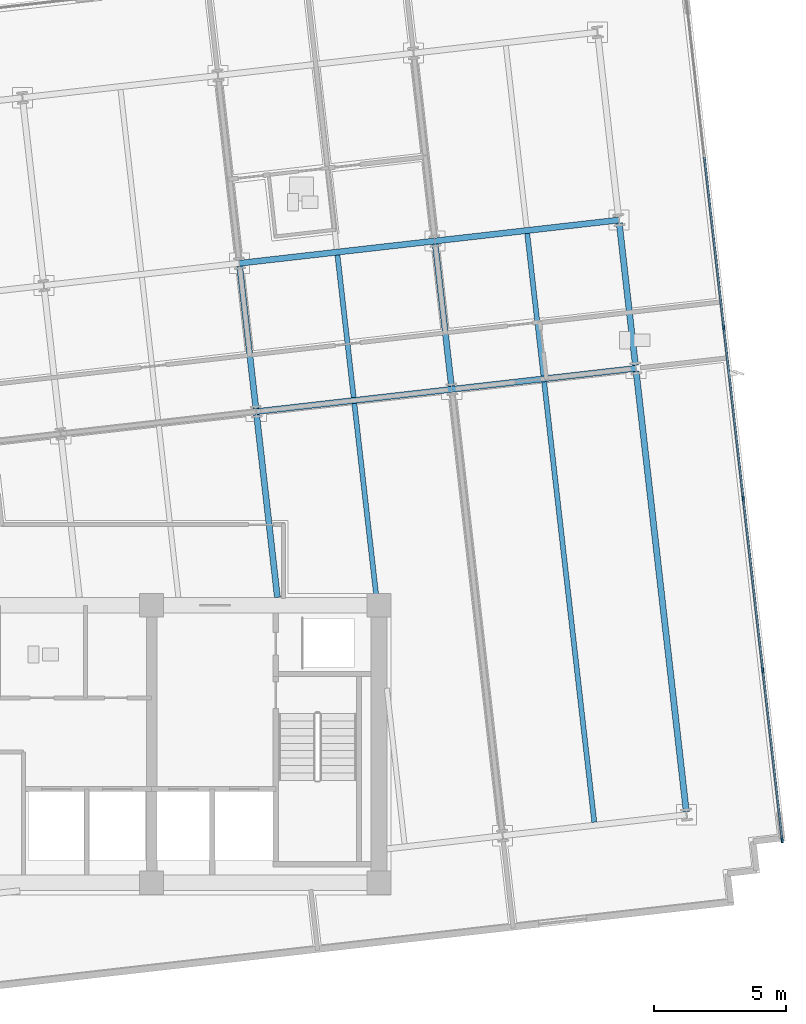
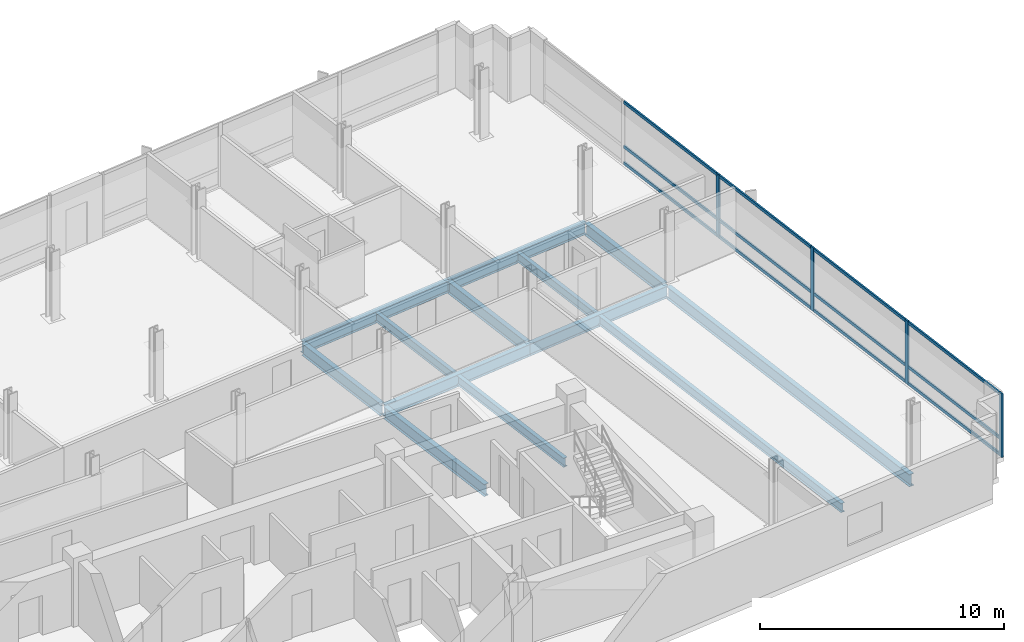
# One storey, part 4 of 15: 16 members, 13 beams, 1 element without a shape of its own.
"""IFC4 building model written with IfcOpenShell, lengths in metres."""

from ifc_helpers import new_model, si_unit, direction, frame, origin, origin_2d, place, context, subcontext, project, spatial, rectangle, i_section, extrude, material, material_profile, profile_set, type_object, element, aggregate, save


model = new_model("IFC4")

# Units and contexts
model_context = context("Model", 3, precision=1e-05, world=origin(), true_north=direction((0.0, 1.0)))
body_context = subcontext(model_context, "Body", "Model", "MODEL_VIEW")
ifc_project = project(units=[si_unit("LENGTHUNIT", "METRE"), si_unit("AREAUNIT", "SQUARE_METRE"), si_unit("VOLUMEUNIT", "CUBIC_METRE"), si_unit("PLANEANGLEUNIT", "RADIAN"), si_unit("MASSUNIT", "GRAM", prefix="KILO")], contexts=[model_context])

# Site, building, storey
site_placement = place(None, origin())
site = spatial("IfcSite", under=ifc_project, at=site_placement, CompositionType="ELEMENT")
building_placement = place(site_placement, origin())
building = spatial("IfcBuilding", under=site, at=building_placement, Name="Solmavex Isthmus Hotel", CompositionType="ELEMENT")
storey_placement = place(building_placement, frame((0.0, 0.0, 229.64990234375)))
storey = spatial("IfcBuildingStorey", under=building, at=storey_placement, Name="L62", CompositionType="ELEMENT", Elevation=229.64990234375)

# Beams
ifc_material_1 = material(Name="Steel ASTM A992 Grade 50", Category="steel")
ifc_material_profile_1 = material_profile(ifc_material_1, i_section(OverallWidth=0.1904296875, OverallDepth=0.456787109375, WebThickness=0.009033203125, FlangeThickness=0.014404296875, FilletRadius=0.0126953125, at=origin_2d()), Name="W18X50")
ifc_profile_set_1 = profile_set([ifc_material_profile_1], Name="Steel ASTM A992 Grade 50")
beam_type_1 = type_object("IfcBeamType", Name="BM-BJ-W18X50", PredefinedType="JOIST", material=ifc_profile_set_1)
beam_1_placement = place(storey_placement, frame((15.908447265625, -2.199951171875, -0.48828125), z_axis=(-0.113224925382, 0.99356938171, 0.0), x_axis=(-0.99356938171, -0.113224925382, 0.0)))
element("IfcBeam", 1, at=beam_1_placement, inside=storey, type_object=beam_type_1, Name="Secondary Floor Joist L62-J16", PredefinedType="JOIST", context=body_context, shape_type="SweptSolid", body=[
    extrude(i_section(OverallWidth=0.1904296875, OverallDepth=0.456787109375, WebThickness=0.009033203125, FlangeThickness=0.014404296875, FilletRadius=0.0126953125, at=origin_2d()), origin(), (0.0, 0.0, 1.0), 7.38525390625),
])
beam_2_placement = place(storey_placement, frame((15.046630859375, 5.364013671875, -0.48828125), z_axis=(-0.113189626161, 0.993573403695, 0.0), x_axis=(-0.993573403695, -0.113189626161, 0.0)))
element("IfcBeam", 2, at=beam_2_placement, inside=storey, type_object=beam_type_1, Name="Secondary Floor Joist L62-J17", PredefinedType="JOIST", context=body_context, shape_type="SweptSolid", body=[
    extrude(i_section(OverallWidth=0.1904296875, OverallDepth=0.456787109375, WebThickness=0.009033203125, FlangeThickness=0.014404296875, FilletRadius=0.0126953125, at=origin_2d()), origin(), (0.0, 0.0, 1.0), 5.42041015625),
])
beam_3_placement = place(storey_placement, frame((24.1513671875, -10.707275390625, -0.48828125), z_axis=(-0.113198426291, 0.993572401129, 0.0), x_axis=(-0.993572401129, -0.113198426291, 0.0)))
element("IfcBeam", 3, at=beam_3_placement, inside=storey, type_object=beam_type_1, Name="Secondary Floor Joist L62-J19", PredefinedType="JOIST", context=body_context, shape_type="SweptSolid", body=[
    extrude(i_section(OverallWidth=0.1904296875, OverallDepth=0.456787109375, WebThickness=0.009033203125, FlangeThickness=0.014404296875, FilletRadius=0.0126953125, at=origin_2d()), origin(), (0.0, 0.0, 1.0), 16.77099609375),
])
beam_4_placement = place(storey_placement, frame((22.22705078125, 6.18212890625, -0.48828125), z_axis=(-0.113189626161, 0.993573403695, 0.0), x_axis=(-0.993573403695, -0.113189626161, 0.0)))
element("IfcBeam", 4, at=beam_4_placement, inside=storey, type_object=beam_type_1, Name="Secondary Floor Joist L62-J20", PredefinedType="JOIST", context=body_context, shape_type="SweptSolid", body=[
    extrude(i_section(OverallWidth=0.1904296875, OverallDepth=0.456787109375, WebThickness=0.009033203125, FlangeThickness=0.014404296875, FilletRadius=0.0126953125, at=origin_2d()), origin(), (0.0, 0.0, 1.0), 5.42041015625),
])
ifc_material_profile_2 = material_profile(ifc_material_1, i_section(OverallWidth=0.227783203125, OverallDepth=0.602783203125, WebThickness=0.010498046875, FlangeThickness=0.014892578125, FilletRadius=0.01513671875, at=origin_2d()), Name="W24X68")
ifc_profile_set_2 = profile_set([ifc_material_profile_2], Name="Steel ASTM A992 Grade 50")
beam_type_2 = type_object("IfcBeamType", Name="BM-BM-W24X68", PredefinedType="BEAM", material=ifc_profile_set_2)
beam_5_placement = place(storey_placement, frame((11.3603515625, 4.829345703125, -0.561279296875), z_axis=(0.9935703463, 0.113216460607, 0.0), x_axis=(-0.113216460607, 0.9935703463, 0.0)))
element("IfcBeam", 5, at=beam_5_placement, inside=storey, type_object=beam_type_2, Name="Floor Girder L62-UG10", PredefinedType="BEAM", context=body_context, shape_type="SweptSolid", body=[
    extrude(i_section(OverallWidth=0.227783203125, OverallDepth=0.602783203125, WebThickness=0.010498046875, FlangeThickness=0.014892578125, FilletRadius=0.01513671875, at=origin_2d()), origin(), (0.0, 0.0, 1.0), 7.446044921875),
])
beam_6_placement = place(storey_placement, frame((18.758544921875, 5.67236328125, -0.561279296875), z_axis=(0.99357359356, 0.113187959519, 0.0), x_axis=(-0.113187959519, 0.99357359356, 0.0)))
element("IfcBeam", 6, at=beam_6_placement, inside=storey, type_object=beam_type_2, Name="Floor Girder L62-UG11", PredefinedType="BEAM", context=body_context, shape_type="SweptSolid", body=[
    extrude(i_section(OverallWidth=0.227783203125, OverallDepth=0.602783203125, WebThickness=0.010498046875, FlangeThickness=0.014892578125, FilletRadius=0.01513671875, at=origin_2d()), origin(), (0.0, 0.0, 1.0), 7.0078125),
])
beam_7_placement = place(storey_placement, frame((10.720947265625, 10.441162109375, -0.561279296875), z_axis=(0.993574034044, 0.113184092846, 0.0), x_axis=(-0.113184092846, 0.993574034044, 0.0)))
element("IfcBeam", 7, at=beam_7_placement, inside=storey, type_object=beam_type_2, Name="Floor Girder L62-UG16", PredefinedType="BEAM", context=body_context, shape_type="SweptSolid", body=[
    extrude(i_section(OverallWidth=0.227783203125, OverallDepth=0.602783203125, WebThickness=0.010498046875, FlangeThickness=0.014892578125, FilletRadius=0.01513671875, at=origin_2d()), origin(), (0.0, 0.0, 1.0), 7.446044921875),
])
beam_8_placement = place(storey_placement, frame((18.119140625, 11.283935546875, -0.561279296875), z_axis=(0.993569675103, 0.113222350774, 0.0), x_axis=(-0.113222350774, 0.993569675103, 0.0)))
element("IfcBeam", 8, at=beam_8_placement, inside=storey, type_object=beam_type_2, Name="Floor Girder L62-UG17", PredefinedType="BEAM", context=body_context, shape_type="SweptSolid", body=[
    extrude(i_section(OverallWidth=0.227783203125, OverallDepth=0.602783203125, WebThickness=0.010498046875, FlangeThickness=0.014892578125, FilletRadius=0.01513671875, at=origin_2d()), origin(), (0.0, 0.0, 1.0), 7.008056640625),
])
beam_9_placement = place(storey_placement, frame((12.161376953125, -2.199951171875, -0.561279296875), z_axis=(-0.113214229187, 0.993570600566, 0.0), x_axis=(-0.993570600566, -0.113214229187, 0.0)))
element("IfcBeam", 9, at=beam_9_placement, inside=storey, type_object=beam_type_2, Name="Floor Beam L62-VG37", PredefinedType="BEAM", context=body_context, shape_type="SweptSolid", body=[
    extrude(i_section(OverallWidth=0.227783203125, OverallDepth=0.602783203125, WebThickness=0.010498046875, FlangeThickness=0.014892578125, FilletRadius=0.01513671875, at=origin_2d()), origin(), (0.0, 0.0, 1.0), 6.9609375),
])
beam_10_placement = place(storey_placement, frame((11.347412109375, 4.942626953125, -0.561279296875), z_axis=(-0.113194691868, 0.993572826587, 0.0), x_axis=(-0.993572826587, -0.113194691868, 0.0)))
element("IfcBeam", 10, at=beam_10_placement, inside=storey, type_object=beam_type_2, Name="Floor Beam L62-VG38", PredefinedType="BEAM", context=body_context, shape_type="SweptSolid", body=[
    extrude(i_section(OverallWidth=0.227783203125, OverallDepth=0.602783203125, WebThickness=0.010498046875, FlangeThickness=0.014892578125, FilletRadius=0.01513671875, at=origin_2d()), origin(), (0.0, 0.0, 1.0), 5.420166015625),
])
beam_11_placement = place(storey_placement, frame((18.74560546875, 5.785400390625, -0.561279296875), z_axis=(-0.113189626161, 0.993573403695, 0.0), x_axis=(-0.993573403695, -0.113189626161, 0.0)))
element("IfcBeam", 11, at=beam_11_placement, inside=storey, type_object=beam_type_2, Name="Floor Beam L62-VG41", PredefinedType="BEAM", context=body_context, shape_type="SweptSolid", body=[
    extrude(i_section(OverallWidth=0.227783203125, OverallDepth=0.602783203125, WebThickness=0.010498046875, FlangeThickness=0.014892578125, FilletRadius=0.01513671875, at=origin_2d()), origin(), (0.0, 0.0, 1.0), 5.42041015625),
])
ifc_material_profile_3 = material_profile(ifc_material_1, i_section(OverallWidth=0.230224609375, OverallDepth=0.617431640625, WebThickness=0.01318359375, FlangeThickness=0.022216796875, FilletRadius=0.01513671875, at=origin_2d()), Name="W24X94")
ifc_profile_set_3 = profile_set([ifc_material_profile_3], Name="Steel ASTM A992 Grade 50")
beam_type_3 = type_object("IfcBeamType", Name="BM-SP-W24X94", PredefinedType="SPANDREL", material=ifc_profile_set_3)
beam_12_placement = place(storey_placement, frame((27.6328125, -10.310546875, -0.568603515625), z_axis=(-0.113198426291, 0.993572401129, 0.0), x_axis=(-0.993572401129, -0.113198426291, 0.0)))
element("IfcBeam", 12, at=beam_12_placement, inside=storey, type_object=beam_type_3, Name="Floor Beam L62-VG43", PredefinedType="SPANDREL", context=body_context, shape_type="SweptSolid", body=[
    extrude(i_section(OverallWidth=0.230224609375, OverallDepth=0.617431640625, WebThickness=0.01318359375, FlangeThickness=0.022216796875, FilletRadius=0.01513671875, at=origin_2d()), origin(), (0.0, 0.0, 1.0), 16.77099609375),
])
beam_13_placement = place(storey_placement, frame((25.70849609375, 6.578857421875, -0.568603515625), z_axis=(-0.113194691868, 0.993572826587, 0.0), x_axis=(-0.993572826587, -0.113194691868, 0.0)))
element("IfcBeam", 13, at=beam_13_placement, inside=storey, type_object=beam_type_3, Name="Floor Beam L62-VG44", PredefinedType="SPANDREL", context=body_context, shape_type="SweptSolid", body=[
    extrude(i_section(OverallWidth=0.230224609375, OverallDepth=0.617431640625, WebThickness=0.01318359375, FlangeThickness=0.022216796875, FilletRadius=0.01513671875, at=origin_2d()), origin(), (0.0, 0.0, 1.0), 5.420166015625),
])

# Curtain wall, members
ifc_material_2 = material(Name="Aluminium alloy 6063-T6", Category="aluminium")
curtain_wall_type = type_object("IfcCurtainWallType", Name="CW-SYS-04", PredefinedType="NOTDEFINED", material=ifc_material_2)
curtain_wall_placement = place(storey_placement, origin())
curtain_wall = element("IfcCurtainWall", 14, at=curtain_wall_placement, inside=storey, type_object=curtain_wall_type, Name="Stick Curtain Wall CWL-L62-E1", PredefinedType="NOTDEFINED")
ifc_material_profile_4 = material_profile(ifc_material_2, rectangle(XDim=0.074951171875, YDim=0.199951171875, at=origin_2d()), Name="CWM-75X200")
ifc_profile_set_4 = profile_set([ifc_material_profile_4], Name="Aluminium alloy 6063-T6")
member_type_1 = type_object("IfcMemberType", Name="CW-SYS-04-MUL", PredefinedType="MULLION", material=ifc_profile_set_4)
member_1_placement = place(storey_placement, frame((31.2578125, -11.384765625, 0.0), z_axis=(0.0, 0.0, 1.0), x_axis=(-0.993571836648, -0.11320338078, 0.0)))
member_1 = element("IfcMember", 15, at=member_1_placement, type_object=member_type_1, Name="CW-04 mullion 1", PredefinedType="MULLION", context=body_context, shape_type="SweptSolid", body=[
    extrude(rectangle(XDim=0.074951171875, YDim=0.199951171875, at=origin_2d()), origin(), (0.0, 0.0, 1.0), 3.190185546875),
])
member_2_placement = place(storey_placement, frame((30.52392578125, -4.944091796875, 0.0), z_axis=(0.0, 0.0, 1.0), x_axis=(-0.993571836648, -0.11320338078, 0.0)))
member_2 = element("IfcMember", 16, at=member_2_placement, type_object=member_type_1, Name="CW-04 mullion 2", PredefinedType="MULLION", context=body_context, shape_type="SweptSolid", body=[
    extrude(rectangle(XDim=0.074951171875, YDim=0.199951171875, at=origin_2d()), origin(), (0.0, 0.0, 1.0), 3.190185546875),
])
member_3_placement = place(storey_placement, frame((29.785888671875, 1.533935546875, 0.0), z_axis=(0.0, 0.0, 1.0), x_axis=(-0.993571836648, -0.11320338078, 0.0)))
member_3 = element("IfcMember", 17, at=member_3_placement, type_object=member_type_1, Name="CW-04 mullion 3", PredefinedType="MULLION", context=body_context, shape_type="SweptSolid", body=[
    extrude(rectangle(XDim=0.074951171875, YDim=0.199951171875, at=origin_2d()), origin(), (0.0, 0.0, 1.0), 3.190185546875),
])
member_4_placement = place(storey_placement, frame((29.0478515625, 8.01220703125, 0.0), z_axis=(0.0, 0.0, 1.0), x_axis=(-0.993571836648, -0.11320338078, 0.0)))
member_4 = element("IfcMember", 18, at=member_4_placement, type_object=member_type_1, Name="CW-04 mullion 4", PredefinedType="MULLION", context=body_context, shape_type="SweptSolid", body=[
    extrude(rectangle(XDim=0.074951171875, YDim=0.199951171875, at=origin_2d()), origin(), (0.0, 0.0, 1.0), 3.190185546875),
])
ifc_material_profile_5 = material_profile(ifc_material_2, rectangle(XDim=0.074951171875, YDim=0.14990234375, at=origin_2d()), Name="CWT-75X150")
ifc_profile_set_5 = profile_set([ifc_material_profile_5], Name="Aluminium alloy 6063-T6")
member_type_2 = type_object("IfcMemberType", Name="CW-SYS-04-TRN", PredefinedType="USERDEFINED", material=ifc_profile_set_5)
member_5_placement = place(storey_placement, frame((31.253662109375, -11.34765625, 0.0751953125), z_axis=(-0.113199495412, 0.993572279323, 0.0), x_axis=(-0.993572279323, -0.113199495412, 0.0)))
member_5 = element("IfcMember", 19, at=member_5_placement, type_object=member_type_2, Name="CW-04 transom 1.1", ObjectType="TRANSOM", PredefinedType="USERDEFINED", context=body_context, shape_type="SweptSolid", body=[
    extrude(rectangle(XDim=0.074951171875, YDim=0.14990234375, at=origin_2d()), origin(), (0.0, 0.0, 1.0), 6.40771484375),
])
member_6_placement = place(storey_placement, frame((31.253662109375, -11.34765625, 0.900146484375), z_axis=(-0.113199495412, 0.993572279323, 0.0), x_axis=(-0.993572279323, -0.113199495412, 0.0)))
member_6 = element("IfcMember", 20, at=member_6_placement, type_object=member_type_2, Name="CW-04 transom 1.2", ObjectType="TRANSOM", PredefinedType="USERDEFINED", context=body_context, shape_type="SweptSolid", body=[
    extrude(rectangle(XDim=0.074951171875, YDim=0.14990234375, at=origin_2d()), origin(), (0.0, 0.0, 1.0), 6.40771484375),
])
member_7_placement = place(storey_placement, frame((31.253662109375, -11.34765625, 3.114990234375), z_axis=(-0.113199495412, 0.993572279323, 0.0), x_axis=(-0.993572279323, -0.113199495412, 0.0)))
member_7 = element("IfcMember", 21, at=member_7_placement, type_object=member_type_2, Name="CW-04 transom 1.3", ObjectType="TRANSOM", PredefinedType="USERDEFINED", context=body_context, shape_type="SweptSolid", body=[
    extrude(rectangle(XDim=0.074951171875, YDim=0.14990234375, at=origin_2d()), origin(), (0.0, 0.0, 1.0), 6.40771484375),
])
member_8_placement = place(storey_placement, frame((30.519775390625, -4.90673828125, 0.0751953125), z_axis=(-0.113225012477, 0.993569371785, 0.0), x_axis=(-0.993569371785, -0.113225012477, 0.0)))
member_8 = element("IfcMember", 22, at=member_8_placement, type_object=member_type_2, Name="CW-04 transom 2.1", ObjectType="TRANSOM", PredefinedType="USERDEFINED", context=body_context, shape_type="SweptSolid", body=[
    extrude(rectangle(XDim=0.074951171875, YDim=0.14990234375, at=origin_2d()), origin(), (0.0, 0.0, 1.0), 6.445068359375),
])
member_9_placement = place(storey_placement, frame((30.519775390625, -4.90673828125, 0.900146484375), z_axis=(-0.113225012477, 0.993569371785, 0.0), x_axis=(-0.993569371785, -0.113225012477, 0.0)))
member_9 = element("IfcMember", 23, at=member_9_placement, type_object=member_type_2, Name="CW-04 transom 2.2", ObjectType="TRANSOM", PredefinedType="USERDEFINED", context=body_context, shape_type="SweptSolid", body=[
    extrude(rectangle(XDim=0.074951171875, YDim=0.14990234375, at=origin_2d()), origin(), (0.0, 0.0, 1.0), 6.445068359375),
])
member_10_placement = place(storey_placement, frame((30.519775390625, -4.90673828125, 3.114990234375), z_axis=(-0.113225012477, 0.993569371785, 0.0), x_axis=(-0.993569371785, -0.113225012477, 0.0)))
member_10 = element("IfcMember", 24, at=member_10_placement, type_object=member_type_2, Name="CW-04 transom 2.3", ObjectType="TRANSOM", PredefinedType="USERDEFINED", context=body_context, shape_type="SweptSolid", body=[
    extrude(rectangle(XDim=0.074951171875, YDim=0.14990234375, at=origin_2d()), origin(), (0.0, 0.0, 1.0), 6.445068359375),
])
member_11_placement = place(storey_placement, frame((29.78173828125, 1.5712890625, 0.0751953125), z_axis=(-0.113225012477, 0.993569371785, 0.0), x_axis=(-0.993569371785, -0.113225012477, 0.0)))
member_11 = element("IfcMember", 25, at=member_11_placement, type_object=member_type_2, Name="CW-04 transom 3.1", ObjectType="TRANSOM", PredefinedType="USERDEFINED", context=body_context, shape_type="SweptSolid", body=[
    extrude(rectangle(XDim=0.074951171875, YDim=0.14990234375, at=origin_2d()), origin(), (0.0, 0.0, 1.0), 6.445068359375),
])
member_12_placement = place(storey_placement, frame((29.78173828125, 1.5712890625, 0.900146484375), z_axis=(-0.113225012477, 0.993569371785, 0.0), x_axis=(-0.993569371785, -0.113225012477, 0.0)))
member_12 = element("IfcMember", 26, at=member_12_placement, type_object=member_type_2, Name="CW-04 transom 3.2", ObjectType="TRANSOM", PredefinedType="USERDEFINED", context=body_context, shape_type="SweptSolid", body=[
    extrude(rectangle(XDim=0.074951171875, YDim=0.14990234375, at=origin_2d()), origin(), (0.0, 0.0, 1.0), 6.445068359375),
])
member_13_placement = place(storey_placement, frame((29.78173828125, 1.5712890625, 3.114990234375), z_axis=(-0.113225012477, 0.993569371785, 0.0), x_axis=(-0.993569371785, -0.113225012477, 0.0)))
member_13 = element("IfcMember", 27, at=member_13_placement, type_object=member_type_2, Name="CW-04 transom 3.3", ObjectType="TRANSOM", PredefinedType="USERDEFINED", context=body_context, shape_type="SweptSolid", body=[
    extrude(rectangle(XDim=0.074951171875, YDim=0.14990234375, at=origin_2d()), origin(), (0.0, 0.0, 1.0), 6.445068359375),
])
member_14_placement = place(storey_placement, frame((29.04345703125, 8.04931640625, 0.0751953125), z_axis=(-0.113187617296, 0.993573632546, 0.0), x_axis=(-0.993573632546, -0.113187617296, 0.0)))
member_14 = element("IfcMember", 28, at=member_14_placement, type_object=member_type_2, Name="CW-04 transom 4.1", ObjectType="TRANSOM", PredefinedType="USERDEFINED", context=body_context, shape_type="SweptSolid", body=[
    extrude(rectangle(XDim=0.074951171875, YDim=0.14990234375, at=origin_2d()), origin(), (0.0, 0.0, 1.0), 6.445068359375),
])
member_15_placement = place(storey_placement, frame((29.04345703125, 8.04931640625, 0.900146484375), z_axis=(-0.113187617296, 0.993573632546, 0.0), x_axis=(-0.993573632546, -0.113187617296, 0.0)))
member_15 = element("IfcMember", 29, at=member_15_placement, type_object=member_type_2, Name="CW-04 transom 4.2", ObjectType="TRANSOM", PredefinedType="USERDEFINED", context=body_context, shape_type="SweptSolid", body=[
    extrude(rectangle(XDim=0.074951171875, YDim=0.14990234375, at=origin_2d()), origin(), (0.0, 0.0, 1.0), 6.445068359375),
])
member_16_placement = place(storey_placement, frame((29.04345703125, 8.04931640625, 3.114990234375), z_axis=(-0.113187617296, 0.993573632546, 0.0), x_axis=(-0.993573632546, -0.113187617296, 0.0)))
member_16 = element("IfcMember", 30, at=member_16_placement, type_object=member_type_2, Name="CW-04 transom 4.3", ObjectType="TRANSOM", PredefinedType="USERDEFINED", context=body_context, shape_type="SweptSolid", body=[
    extrude(rectangle(XDim=0.074951171875, YDim=0.14990234375, at=origin_2d()), origin(), (0.0, 0.0, 1.0), 6.445068359375),
])
aggregate(curtain_wall, [member_1, member_2, member_3, member_4, member_5, member_6, member_7, member_8, member_9, member_10, member_11, member_12, member_13, member_14, member_15, member_16])

save(model, "model.ifc")
